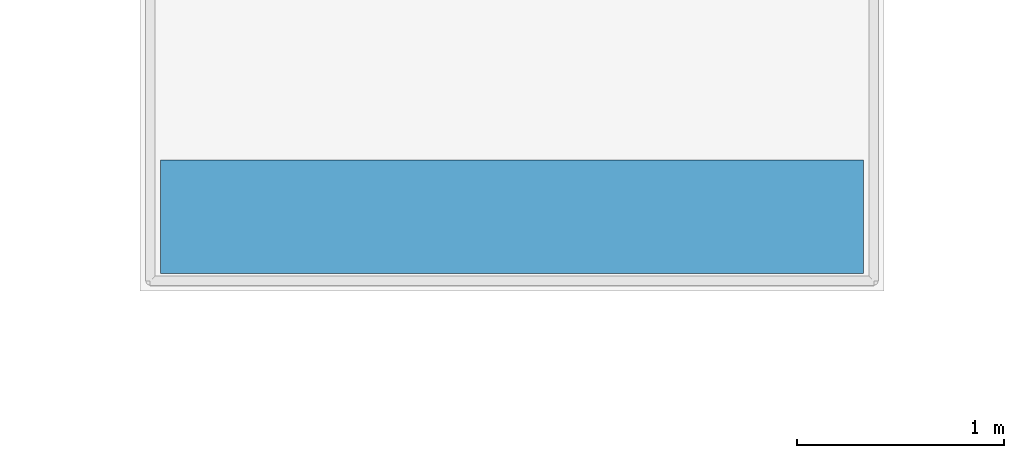
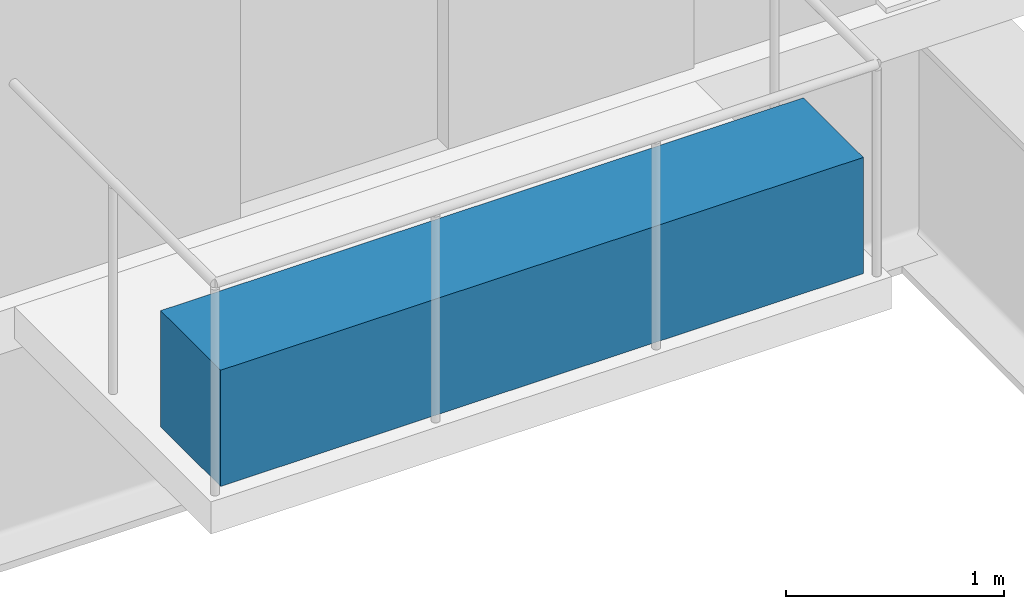
# One storey, part 23 of 24: 1 discrete accessory.
"""IFC4 building model written with IfcOpenShell, lengths in metres."""

from ifc_helpers import new_model, si_unit, direction, frame, origin, origin_2d, place, context, subcontext, project, spatial, rectangle, extrude, material, layer, layer_set, type_object, element, save


model = new_model("IFC4")

# Units and contexts
model_context = context("Model", 3, precision=1e-05, world=origin(), true_north=direction((0.0, 1.0)))
body_context = subcontext(model_context, "Body", "Model", "MODEL_VIEW")
ifc_project = project(units=[si_unit("LENGTHUNIT", "METRE"), si_unit("AREAUNIT", "SQUARE_METRE"), si_unit("VOLUMEUNIT", "CUBIC_METRE"), si_unit("PLANEANGLEUNIT", "RADIAN"), si_unit("MASSUNIT", "GRAM", prefix="KILO")], contexts=[model_context])

# Site, building, storey
site_placement = place(None, origin())
site = spatial("IfcSite", under=ifc_project, at=site_placement, CompositionType="ELEMENT")
building_placement = place(site_placement, origin())
building = spatial("IfcBuilding", under=site, at=building_placement, Name="Noeulbin Bourse Tower", CompositionType="ELEMENT")
storey_placement = place(building_placement, frame((0.0, 0.0, 142.199951171875)))
storey = spatial("IfcBuildingStorey", under=building, at=storey_placement, Name="L35", CompositionType="ELEMENT", Elevation=142.199951171875)

# Discrete accessory
ifc_material = material(Name="Architectural GFRC Concrete C40/50", Category="concrete")
ifc_layer = layer(ifc_material, 0.64990234375)
ifc_layer_set = layer_set([ifc_layer], Name="Architectural GFRC Concrete C40/50")
discrete_accessory_type = type_object("IfcDiscreteAccessoryType", Name="PLANTER-BOX-3600", PredefinedType="USERDEFINED", material=ifc_layer_set)
discrete_accessory_placement = place(storey_placement, frame((40.75, 14.56005859375, 0.0), z_axis=(0.0, 0.0, 1.0), x_axis=(1.0, 0.0, 0.0)))
element("IfcDiscreteAccessory", 1, at=discrete_accessory_placement, inside=storey, type_object=discrete_accessory_type, Name="Integrated Balcony Tree Planter Box L35", ObjectType="PLANTER", PredefinedType="USERDEFINED", context=body_context, shape_type="SweptSolid", body=[
    extrude(rectangle(XDim=3.39990234375, YDim=0.550048828125, at=origin_2d()), origin(), (0.0, 0.0, 1.0), 0.64990234375),
])

save(model, "model.ifc")
